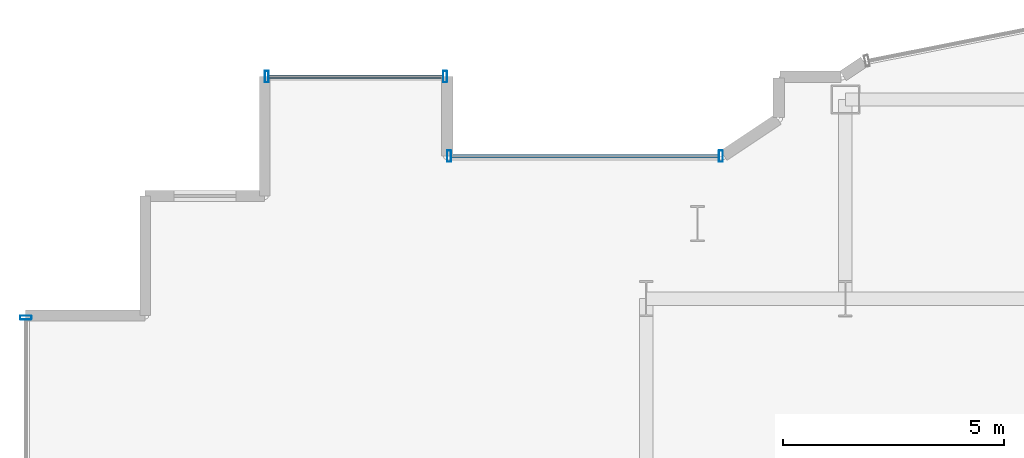
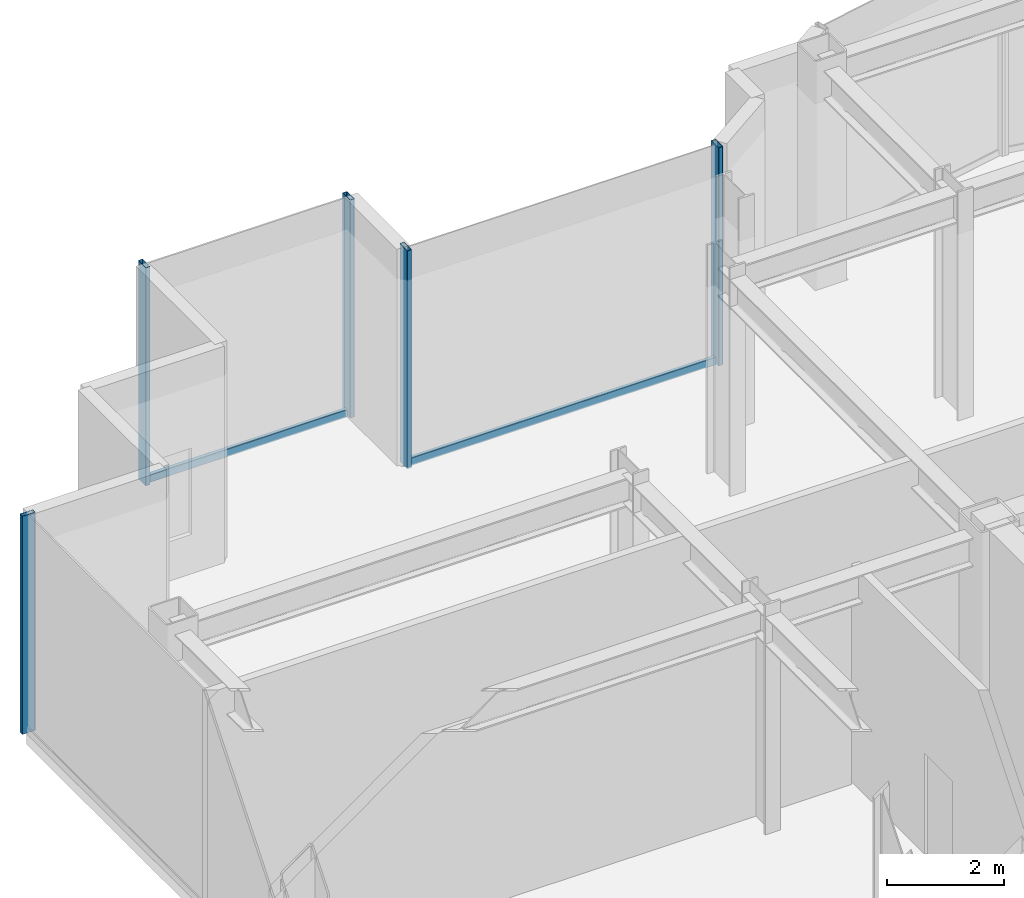
# One storey, part 8 of 20: 7 members, 3 elements without a shape of their own.
"""IFC4 building model written with IfcOpenShell, lengths in metres."""

from ifc_helpers import new_model, si_unit, direction, frame, origin, origin_2d, place, context, subcontext, project, spatial, hollow_rectangle, extrude, source, transform, mapped, material, layer, layer_set, material_profile, profile_set, type_object, element, aggregate, save


model = new_model("IFC4")

# Units and contexts
model_context = context("Model", 3, precision=1e-05, world=origin(), true_north=direction((0.0, 1.0)))
body_context = subcontext(model_context, "Body", "Model", "MODEL_VIEW")
ifc_project = project(units=[si_unit("LENGTHUNIT", "METRE"), si_unit("AREAUNIT", "SQUARE_METRE"), si_unit("VOLUMEUNIT", "CUBIC_METRE"), si_unit("PLANEANGLEUNIT", "RADIAN"), si_unit("MASSUNIT", "GRAM", prefix="KILO")], contexts=[model_context])

# Site, building, storey
site_placement = place(None, origin())
site = spatial("IfcSite", under=ifc_project, at=site_placement, CompositionType="ELEMENT")
building_placement = place(site_placement, origin())
building = spatial("IfcBuilding", under=site, at=building_placement, Name="Nefas-Gora Pilgrimage Tower", CompositionType="ELEMENT")
storey_placement = place(building_placement, frame((0.0, 0.0, 259.800048828125)))
storey = spatial("IfcBuildingStorey", under=building, at=storey_placement, Name="L65", CompositionType="ELEMENT", Elevation=259.800048828125)

# Curtain wall, members
ifc_material_1 = material(Name="Dark ceramic-fritted solar-control aluminium-glass curtain wall", Category="aluminium")
ifc_layer_1 = layer(ifc_material_1, 0.219970703125)
ifc_layer_set_1 = layer_set([ifc_layer_1], Name="Dark ceramic-fritted solar-control aluminium-glass curtain wall")
curtain_wall_type_1 = type_object("IfcCurtainWallType", Name="CW-SYS-5", PredefinedType="NOTDEFINED", material=ifc_layer_set_1)
curtain_wall_1_placement = place(storey_placement, origin())
curtain_wall_1 = element("IfcCurtainWall", 1, at=curtain_wall_1_placement, inside=storey, type_object=curtain_wall_type_1, Name="L65 Unitised Curtain Wall CW5", PredefinedType="NOTDEFINED")
ifc_material_2 = material(Name="Anodised architectural aluminium", Category="aluminium")
ifc_material_profile_1 = material_profile(ifc_material_2, hollow_rectangle(XDim=0.080078125, YDim=0.159912109375, WallThickness=0.00439453125, InnerFilletRadius=0.00439453125, OuterFilletRadius=0.009033203125, at=origin_2d()), Name="ALU TRANSOM 80x160")
ifc_profile_set_1 = profile_set([ifc_material_profile_1], Name="Anodised architectural aluminium")
member_type_1 = type_object("IfcMemberType", Name="CWM-TRN-5", PredefinedType="USERDEFINED", material=ifc_profile_set_1)
shared_shape_1 = source(origin(), body_context, "Body", "SweptSolid", [
    extrude(hollow_rectangle(XDim=0.080078125, YDim=0.159912109375, WallThickness=0.00439453125, InnerFilletRadius=0.00439453125, OuterFilletRadius=0.009033203125, at=origin_2d()), origin(), (0.0, 0.0, 1.0), 6.052001953125),
])
member_1_placement = place(storey_placement, frame((-9.60791015625, 21.219970703125, 0.050048828125), z_axis=(-1.0, 0.0, 0.0), x_axis=(0.0, -1.0, 0.0)))
member_1 = element("IfcMember", 2, at=member_1_placement, type_object=member_type_1, Name="CW5 Spandrel Transom", ObjectType="TRANSOM", PredefinedType="USERDEFINED", context=body_context, shape_type="MappedRepresentation", body=[
    mapped(shared_shape_1, transform((0.0, 0.0, 0.0), x_axis=(1.0, 0.0, 0.0), y_axis=(0.0, 1.0, 0.0), z_axis=(0.0, 0.0, 1.0), scale=1.0)),
])
ifc_material_profile_2 = material_profile(ifc_material_2, hollow_rectangle(XDim=0.090087890625, YDim=0.260009765625, WallThickness=0.006103515625, InnerFilletRadius=0.006103515625, OuterFilletRadius=0.011962890625, at=origin_2d()), Name="ALU MULLION 90x260")
ifc_profile_set_2 = profile_set([ifc_material_profile_2], Name="Anodised architectural aluminium")
member_type_2 = type_object("IfcMemberType", Name="CWM-MUL-5", PredefinedType="MULLION", material=ifc_profile_set_2)
shared_shape_2 = source(origin(), body_context, "Body", "SweptSolid", [
    extrude(hollow_rectangle(XDim=0.090087890625, YDim=0.260009765625, WallThickness=0.006103515625, InnerFilletRadius=0.006103515625, OuterFilletRadius=0.011962890625, at=origin_2d()), origin(), (0.0, 0.0, 1.0), 4.550048828125),
])
member_2_placement = place(storey_placement, frame((-9.56298828125, 21.219970703125, 0.0), z_axis=(0.0, 0.0, 1.0), x_axis=(-1.0, 0.0, 0.0)))
member_2 = element("IfcMember", 3, at=member_2_placement, type_object=member_type_2, Name="CW5 Mullion 1", PredefinedType="MULLION", context=body_context, shape_type="MappedRepresentation", body=[
    mapped(shared_shape_2, transform((0.0, 0.0, 0.0), x_axis=(1.0, 0.0, 0.0), y_axis=(0.0, 1.0, 0.0), z_axis=(0.0, 0.0, 1.0), scale=1.0)),
])
member_3_placement = place(storey_placement, frame((-15.705078125, 21.219970703125, 0.0), z_axis=(0.0, 0.0, 1.0), x_axis=(-1.0, 0.0, 0.0)))
member_3 = element("IfcMember", 4, at=member_3_placement, type_object=member_type_2, Name="CW5 Mullion 2", PredefinedType="MULLION", context=body_context, shape_type="MappedRepresentation", body=[
    mapped(shared_shape_2, transform((0.0, 0.0, 0.0), x_axis=(1.0, 0.0, 0.0), y_axis=(0.0, 1.0, 0.0), z_axis=(0.0, 0.0, 1.0), scale=1.0)),
])
aggregate(curtain_wall_1, [member_2, member_3, member_1])

ifc_layer_2 = layer(ifc_material_1, 0.219970703125)
ifc_layer_set_2 = layer_set([ifc_layer_2], Name="Dark ceramic-fritted solar-control aluminium-glass curtain wall")
curtain_wall_type_2 = type_object("IfcCurtainWallType", Name="CW-SYS-3", PredefinedType="NOTDEFINED", material=ifc_layer_set_2)
curtain_wall_2_placement = place(storey_placement, origin())
curtain_wall_2 = element("IfcCurtainWall", 5, at=curtain_wall_2_placement, inside=storey, type_object=curtain_wall_type_2, Name="L65 Unitised Curtain Wall CW3", PredefinedType="NOTDEFINED")
ifc_material_profile_3 = material_profile(ifc_material_2, hollow_rectangle(XDim=0.080078125, YDim=0.159912109375, WallThickness=0.00439453125, InnerFilletRadius=0.00439453125, OuterFilletRadius=0.009033203125, at=origin_2d()), Name="ALU TRANSOM 80x160")
ifc_profile_set_3 = profile_set([ifc_material_profile_3], Name="Anodised architectural aluminium")
member_type_3 = type_object("IfcMemberType", Name="CWM-TRN-3", PredefinedType="USERDEFINED", material=ifc_profile_set_3)
shared_shape_3 = source(origin(), body_context, "Body", "SweptSolid", [
    extrude(hollow_rectangle(XDim=0.080078125, YDim=0.159912109375, WallThickness=0.00439453125, InnerFilletRadius=0.00439453125, OuterFilletRadius=0.009033203125, at=origin_2d()), origin(), (0.0, 0.0, 1.0), 3.93994140625),
])
member_4_placement = place(storey_placement, frame((-15.840087890625, 23.02001953125, 0.050048828125), z_axis=(-1.0, 0.0, 0.0), x_axis=(0.0, -1.0, 0.0)))
member_4 = element("IfcMember", 6, at=member_4_placement, type_object=member_type_3, Name="CW3 Spandrel Transom", ObjectType="TRANSOM", PredefinedType="USERDEFINED", context=body_context, shape_type="MappedRepresentation", body=[
    mapped(shared_shape_3, transform((0.0, 0.0, 0.0), x_axis=(1.0, 0.0, 0.0), y_axis=(0.0, 1.0, 0.0), z_axis=(0.0, 0.0, 1.0), scale=1.0)),
])
ifc_material_profile_4 = material_profile(ifc_material_2, hollow_rectangle(XDim=0.090087890625, YDim=0.260009765625, WallThickness=0.006103515625, InnerFilletRadius=0.006103515625, OuterFilletRadius=0.011962890625, at=origin_2d()), Name="ALU MULLION 90x260")
ifc_profile_set_4 = profile_set([ifc_material_profile_4], Name="Anodised architectural aluminium")
member_type_4 = type_object("IfcMemberType", Name="CWM-MUL-3", PredefinedType="MULLION", material=ifc_profile_set_4)
shared_shape_4 = source(origin(), body_context, "Body", "SweptSolid", [
    extrude(hollow_rectangle(XDim=0.090087890625, YDim=0.260009765625, WallThickness=0.006103515625, InnerFilletRadius=0.006103515625, OuterFilletRadius=0.011962890625, at=origin_2d()), origin(), (0.0, 0.0, 1.0), 4.550048828125),
])
member_5_placement = place(storey_placement, frame((-15.794921875, 23.02001953125, 0.0), z_axis=(0.0, 0.0, 1.0), x_axis=(-1.0, 0.0, 0.0)))
member_5 = element("IfcMember", 7, at=member_5_placement, type_object=member_type_4, Name="CW3 Mullion 1", PredefinedType="MULLION", context=body_context, shape_type="MappedRepresentation", body=[
    mapped(shared_shape_4, transform((0.0, 0.0, 0.0), x_axis=(1.0, 0.0, 0.0), y_axis=(0.0, 1.0, 0.0), z_axis=(0.0, 0.0, 1.0), scale=1.0)),
])
member_6_placement = place(storey_placement, frame((-19.824951171875, 23.02001953125, 0.0), z_axis=(0.0, 0.0, 1.0), x_axis=(-1.0, 0.0, 0.0)))
member_6 = element("IfcMember", 8, at=member_6_placement, type_object=member_type_4, Name="CW3 Mullion 2", PredefinedType="MULLION", context=body_context, shape_type="MappedRepresentation", body=[
    mapped(shared_shape_4, transform((0.0, 0.0, 0.0), x_axis=(1.0, 0.0, 0.0), y_axis=(0.0, 1.0, 0.0), z_axis=(0.0, 0.0, 1.0), scale=1.0)),
])
aggregate(curtain_wall_2, [member_5, member_6, member_4])

# Curtain wall, member
curtain_wall_3_placement = place(storey_placement, origin())
curtain_wall_3 = element("IfcCurtainWall", 9, at=curtain_wall_3_placement, inside=storey, type_object=curtain_wall_type_2, Name="L65 Unitised Curtain Wall CW3", PredefinedType="NOTDEFINED")
member_7_placement = place(storey_placement, frame((-25.27001953125, 17.574951171875, 0.0), z_axis=(0.0, 0.0, 1.0), x_axis=(0.0, -1.0, 0.0)))
member_7 = element("IfcMember", 10, at=member_7_placement, type_object=member_type_4, Name="CW3 Mullion 1", PredefinedType="MULLION", context=body_context, shape_type="MappedRepresentation", body=[
    mapped(shared_shape_4, transform((0.0, 0.0, 0.0), x_axis=(1.0, 0.0, 0.0), y_axis=(0.0, 1.0, 0.0), z_axis=(0.0, 0.0, 1.0), scale=1.0)),
])
aggregate(curtain_wall_3, [member_7])

save(model, "model.ifc")
